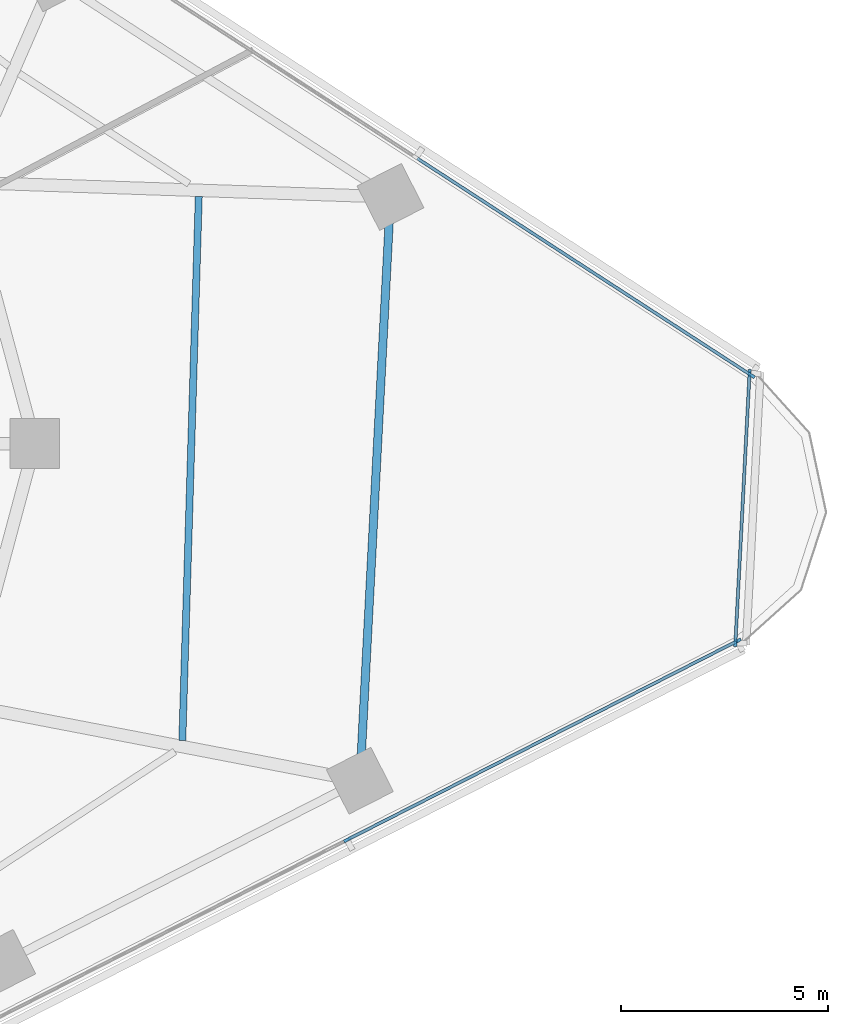
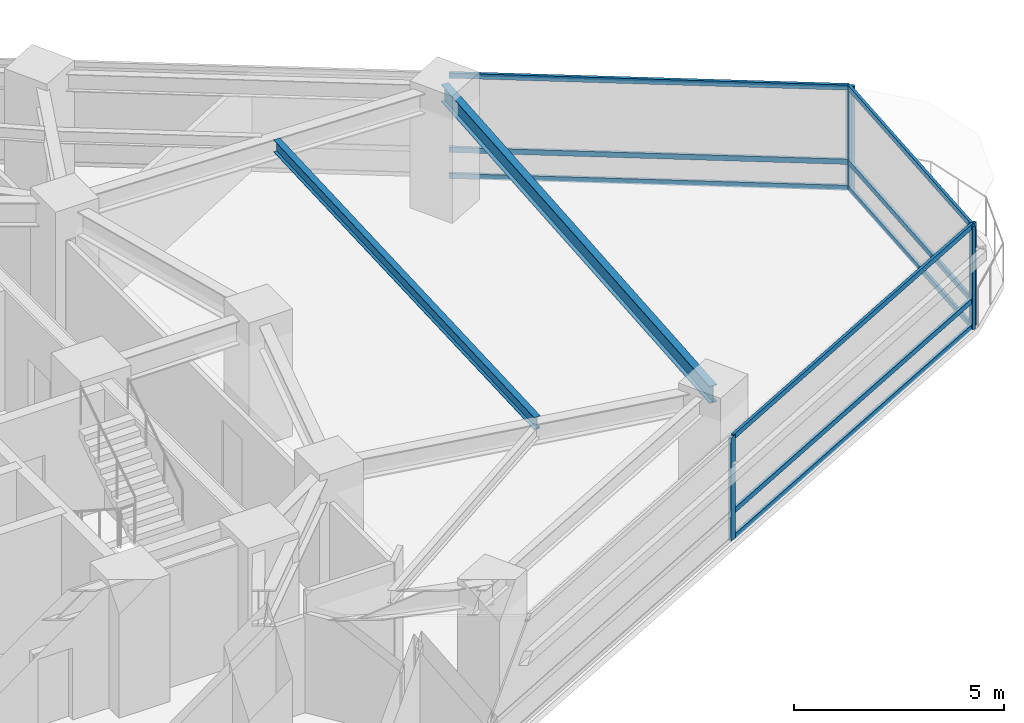
# One storey, part 4 of 14: 14 members, 2 beams, 3 elements without a shape of their own.
"""IFC4 building model written with IfcOpenShell, lengths in metres."""

from ifc_helpers import new_model, si_unit, direction, frame, origin, origin_2d, place, context, subcontext, project, spatial, rectangle, i_section, extrude, material, layer, layer_set, material_profile, profile_set, type_object, element, aggregate, save


model = new_model("IFC4")

# Units and contexts
model_context = context("Model", 3, precision=1e-05, world=origin(), true_north=direction((0.0, 1.0)))
body_context = subcontext(model_context, "Body", "Model", "MODEL_VIEW")
ifc_project = project(units=[si_unit("LENGTHUNIT", "METRE"), si_unit("AREAUNIT", "SQUARE_METRE"), si_unit("VOLUMEUNIT", "CUBIC_METRE"), si_unit("PLANEANGLEUNIT", "RADIAN"), si_unit("MASSUNIT", "GRAM", prefix="KILO")], contexts=[model_context])

# Site, building, storey
site_placement = place(None, origin())
site = spatial("IfcSite", under=ifc_project, at=site_placement, CompositionType="ELEMENT")
building_placement = place(site_placement, origin())
building = spatial("IfcBuilding", under=site, at=building_placement, Name="Terralouvre Media Tower", CompositionType="ELEMENT")
storey_placement = place(building_placement, frame((0.0, 0.0, 131.0)))
storey = spatial("IfcBuildingStorey", under=building, at=storey_placement, Name="L33", CompositionType="ELEMENT", Elevation=131.0)

# Beam
ifc_material_1 = material(Name="Structural steel S355J2", Category="steel")
ifc_material_profile_1 = material_profile(ifc_material_1, i_section(OverallWidth=0.169921875, OverallDepth=0.360107421875, WebThickness=0.008056640625, FlangeThickness=0.0126953125, at=origin_2d()), Name="IPE 360")
ifc_profile_set_1 = profile_set([ifc_material_profile_1], Name="Structural steel S355J2")
beam_type_1 = type_object("IfcBeamType", Name="Composite Floor Joist J-IPE360 (IPE 360)", PredefinedType="JOIST", material=ifc_profile_set_1)
beam_1_placement = place(storey_placement, frame((16.156005859375, -7.156005859375, 3.320068359375), z_axis=(0.030223204966, 0.999543174596, 0.0), x_axis=(-0.999543174596, 0.030223204966, 0.0)))
element("IfcBeam", 1, at=beam_1_placement, inside=storey, type_object=beam_type_1, Name="L33 Framing Beam JT-L33-06", PredefinedType="JOIST", context=body_context, shape_type="SweptSolid", body=[
    extrude(i_section(OverallWidth=0.169921875, OverallDepth=0.360107421875, WebThickness=0.008056640625, FlangeThickness=0.0126953125, at=origin_2d()), origin(), (0.0, 0.0, 1.0), 13.11865234375),
])

# Curtain wall, members
ifc_material_2 = material(Name="Low-iron laminated double glazing with solar-control coating", Category="glass")
ifc_layer_1 = layer(ifc_material_2, 0.1650390625, Name="Production Studio Tower Curtain Wall CW-03")
ifc_layer_set_1 = layer_set([ifc_layer_1], Name="Low-iron laminated double glazing with solar-control coating")
curtain_wall_type_1 = type_object("IfcCurtainWallType", Name="Production Studio Tower Curtain Wall CW-03", PredefinedType="NOTDEFINED", material=ifc_layer_set_1)
curtain_wall_1_placement = place(storey_placement, origin())
curtain_wall_1 = element("IfcCurtainWall", 2, at=curtain_wall_1_placement, inside=storey, type_object=curtain_wall_type_1, Name="L33 Right Flank Curtain Wall F0", PredefinedType="NOTDEFINED")
ifc_material_3 = material(Name="Anodised extruded aluminium 6063-T6", Category="aluminium")
ifc_material_profile_2 = material_profile(ifc_material_3, rectangle(XDim=0.074951171875, YDim=0.14990234375, at=origin_2d()), Name="ALU 75x150")
ifc_profile_set_2 = profile_set([ifc_material_profile_2], Name="Anodised extruded aluminium 6063-T6")
member_type_1 = type_object("IfcMemberType", Name="Curtain-Wall Horizontal Transom TR-150", PredefinedType="USERDEFINED", material=ifc_profile_set_2)
member_1_placement = place(storey_placement, frame((20.164794921875, -9.53662109375, 0.03759765625), z_axis=(0.89100733947, 0.453988899656, 0.0), x_axis=(-0.453988899656, 0.89100733947, 0.0)))
member_1 = element("IfcMember", 3, at=member_1_placement, type_object=member_type_1, Name="CW-03 transom 2.1", ObjectType="TRANSOM", PredefinedType="USERDEFINED", context=body_context, shape_type="SweptSolid", body=[
    extrude(rectangle(XDim=0.074951171875, YDim=0.14990234375, at=origin_2d()), origin(), (0.0, 0.0, 1.0), 10.487548828125),
])
member_2_placement = place(storey_placement, frame((20.164794921875, -9.53662109375, 0.800048828125), z_axis=(0.89100733947, 0.453988899656, 0.0), x_axis=(-0.453988899656, 0.89100733947, 0.0)))
member_2 = element("IfcMember", 4, at=member_2_placement, type_object=member_type_1, Name="CW-03 transom 2.2", ObjectType="TRANSOM", PredefinedType="USERDEFINED", context=body_context, shape_type="SweptSolid", body=[
    extrude(rectangle(XDim=0.074951171875, YDim=0.14990234375, at=origin_2d()), origin(), (0.0, 0.0, 1.0), 10.487548828125),
])
member_3_placement = place(storey_placement, frame((20.164794921875, -9.53662109375, 2.96240234375), z_axis=(0.89100733947, 0.453988899656, 0.0), x_axis=(-0.453988899656, 0.89100733947, 0.0)))
member_3 = element("IfcMember", 5, at=member_3_placement, type_object=member_type_1, Name="CW-03 transom 2.3", ObjectType="TRANSOM", PredefinedType="USERDEFINED", context=body_context, shape_type="SweptSolid", body=[
    extrude(rectangle(XDim=0.074951171875, YDim=0.14990234375, at=origin_2d()), origin(), (0.0, 0.0, 1.0), 10.487548828125),
])

curtain_wall_2_placement = place(storey_placement, origin())
curtain_wall_2 = element("IfcCurtainWall", 6, at=curtain_wall_2_placement, inside=storey, type_object=curtain_wall_type_1, Name="L33 Facade Curtain Wall F1", PredefinedType="NOTDEFINED")
member_4_placement = place(storey_placement, frame((29.846923828125, 1.664794921875, 0.03759765625), z_axis=(-0.838683148474, 0.544619662211, 0.0), x_axis=(-0.544619662211, -0.838683148474, 0.0)))
member_4 = element("IfcMember", 7, at=member_4_placement, type_object=member_type_1, Name="CW-03 transom 1.1", ObjectType="TRANSOM", PredefinedType="USERDEFINED", context=body_context, shape_type="SweptSolid", body=[
    extrude(rectangle(XDim=0.074951171875, YDim=0.14990234375, at=origin_2d()), origin(), (0.0, 0.0, 1.0), 9.567626953125),
])
member_5_placement = place(storey_placement, frame((29.846923828125, 1.664794921875, 0.800048828125), z_axis=(-0.838683148474, 0.544619662211, 0.0), x_axis=(-0.544619662211, -0.838683148474, 0.0)))
member_5 = element("IfcMember", 8, at=member_5_placement, type_object=member_type_1, Name="CW-03 transom 1.2", ObjectType="TRANSOM", PredefinedType="USERDEFINED", context=body_context, shape_type="SweptSolid", body=[
    extrude(rectangle(XDim=0.074951171875, YDim=0.14990234375, at=origin_2d()), origin(), (0.0, 0.0, 1.0), 9.567626953125),
])
member_6_placement = place(storey_placement, frame((29.846923828125, 1.664794921875, 2.96240234375), z_axis=(-0.838683148474, 0.544619662211, 0.0), x_axis=(-0.544619662211, -0.838683148474, 0.0)))
member_6 = element("IfcMember", 9, at=member_6_placement, type_object=member_type_1, Name="CW-03 transom 1.3", ObjectType="TRANSOM", PredefinedType="USERDEFINED", context=body_context, shape_type="SweptSolid", body=[
    extrude(rectangle(XDim=0.074951171875, YDim=0.14990234375, at=origin_2d()), origin(), (0.0, 0.0, 1.0), 9.567626953125),
])

ifc_material_4 = material(Name="Low-iron laminated double glazing with solar-control coating", Category="glass")
ifc_layer_2 = layer(ifc_material_4, 0.1650390625, Name="Rounded Wind-Corner Curved Glazing CW-04")
ifc_layer_set_2 = layer_set([ifc_layer_2], Name="Low-iron laminated double glazing with solar-control coating")
curtain_wall_type_2 = type_object("IfcCurtainWallType", Name="Rounded Wind-Corner Curved Glazing CW-04", PredefinedType="NOTDEFINED", material=ifc_layer_set_2)
curtain_wall_3_placement = place(storey_placement, origin())
curtain_wall_3 = element("IfcCurtainWall", 10, at=curtain_wall_3_placement, inside=storey, type_object=curtain_wall_type_2, Name="L33 Rounded Wind-Corner Curtain Wall C1", PredefinedType="NOTDEFINED")
member_7_placement = place(storey_placement, frame((29.49462890625, -4.76611328125, 0.03759765625), z_axis=(0.052343668365, 0.998629130549, 0.0), x_axis=(-0.998629130549, 0.052343668365, 0.0)))
member_7 = element("IfcMember", 11, at=member_7_placement, type_object=member_type_1, Name="CW-04 transom 1.1", ObjectType="TRANSOM", PredefinedType="USERDEFINED", context=body_context, shape_type="SweptSolid", body=[
    extrude(rectangle(XDim=0.074951171875, YDim=0.14990234375, at=origin_2d()), origin(), (0.0, 0.0, 1.0), 6.431884765625),
])
member_8_placement = place(storey_placement, frame((29.49462890625, -4.76611328125, 0.800048828125), z_axis=(0.052343668365, 0.998629130549, 0.0), x_axis=(-0.998629130549, 0.052343668365, 0.0)))
member_8 = element("IfcMember", 12, at=member_8_placement, type_object=member_type_1, Name="CW-04 transom 1.2", ObjectType="TRANSOM", PredefinedType="USERDEFINED", context=body_context, shape_type="SweptSolid", body=[
    extrude(rectangle(XDim=0.074951171875, YDim=0.14990234375, at=origin_2d()), origin(), (0.0, 0.0, 1.0), 6.431884765625),
])
member_9_placement = place(storey_placement, frame((29.49462890625, -4.76611328125, 2.96240234375), z_axis=(0.052343668365, 0.998629130549, 0.0), x_axis=(-0.998629130549, 0.052343668365, 0.0)))
member_9 = element("IfcMember", 13, at=member_9_placement, type_object=member_type_1, Name="CW-04 transom 1.3", ObjectType="TRANSOM", PredefinedType="USERDEFINED", context=body_context, shape_type="SweptSolid", body=[
    extrude(rectangle(XDim=0.074951171875, YDim=0.14990234375, at=origin_2d()), origin(), (0.0, 0.0, 1.0), 6.431884765625),
])

# Member
ifc_material_5 = material(Name="Anodised extruded aluminium 6063-T6", Category="aluminium")
ifc_material_profile_3 = material_profile(ifc_material_5, rectangle(XDim=0.074951171875, YDim=0.179931640625, at=origin_2d()), Name="ALU 75x180")
ifc_profile_set_3 = profile_set([ifc_material_profile_3], Name="Anodised extruded aluminium 6063-T6")
member_type_2 = type_object("IfcMemberType", Name="Curtain-Wall Vertical Mullion ML-180", PredefinedType="MULLION", material=ifc_profile_set_3)
member_10_placement = place(storey_placement, frame((20.131591796875, -9.5537109375, 0.0), z_axis=(0.0, 0.0, 1.0), x_axis=(-0.453991276263, 0.89100612853, 0.0)))
member_10 = element("IfcMember", 14, at=member_10_placement, type_object=member_type_2, Name="CW-03 mullion 2", PredefinedType="MULLION", context=body_context, shape_type="SweptSolid", body=[
    extrude(rectangle(XDim=0.074951171875, YDim=0.179931640625, at=origin_2d()), origin(), (0.0, 0.0, 1.0), 3.0),
])

member_11_placement = place(storey_placement, frame((29.542724609375, -4.75830078125, 0.0), z_axis=(0.0, 0.0, 1.0), x_axis=(-0.453991276263, 0.89100612853, 0.0)))
member_11 = element("IfcMember", 15, at=member_11_placement, type_object=member_type_2, Name="CW-03 mullion 3", PredefinedType="MULLION", context=body_context, shape_type="SweptSolid", body=[
    extrude(rectangle(XDim=0.074951171875, YDim=0.179931640625, at=origin_2d()), origin(), (0.0, 0.0, 1.0), 3.0),
])

aggregate(curtain_wall_1, [member_10, member_11, member_1, member_2, member_3])

member_12_placement = place(storey_placement, frame((29.878173828125, 1.644287109375, 0.0), z_axis=(0.0, 0.0, 1.0), x_axis=(-0.544639002681, -0.838670588944, 0.0)))
member_12 = element("IfcMember", 16, at=member_12_placement, type_object=member_type_2, Name="CW-03 mullion 1", PredefinedType="MULLION", context=body_context, shape_type="SweptSolid", body=[
    extrude(rectangle(XDim=0.074951171875, YDim=0.179931640625, at=origin_2d()), origin(), (0.0, 0.0, 1.0), 3.0),
])

aggregate(curtain_wall_2, [member_12, member_4, member_5, member_6])

member_13_placement = place(storey_placement, frame((29.49267578125, -4.803466796875, 0.0), z_axis=(0.0, 0.0, 1.0), x_axis=(-0.998629489329, 0.052336823006, 0.0)))
member_13 = element("IfcMember", 17, at=member_13_placement, type_object=member_type_2, Name="CW-04 mullion 1", PredefinedType="MULLION", context=body_context, shape_type="SweptSolid", body=[
    extrude(rectangle(XDim=0.074951171875, YDim=0.179931640625, at=origin_2d()), origin(), (0.0, 0.0, 1.0), 3.0),
])

member_14_placement = place(storey_placement, frame((29.833251953125, 1.6943359375, 0.0), z_axis=(0.0, 0.0, 1.0), x_axis=(-0.998629489329, 0.052336823006, 0.0)))
member_14 = element("IfcMember", 18, at=member_14_placement, type_object=member_type_2, Name="CW-04 mullion 2", PredefinedType="MULLION", context=body_context, shape_type="SweptSolid", body=[
    extrude(rectangle(XDim=0.074951171875, YDim=0.179931640625, at=origin_2d()), origin(), (0.0, 0.0, 1.0), 3.0),
])

aggregate(curtain_wall_3, [member_13, member_14, member_7, member_8, member_9])

# Beam
ifc_material_6 = material(Name="Structural steel S355J2", Category="steel")
ifc_material_profile_4 = material_profile(ifc_material_6, i_section(OverallWidth=0.199951171875, OverallDepth=0.5, WebThickness=0.01025390625, FlangeThickness=0.01611328125, at=origin_2d()), Name="IPE 500")
ifc_profile_set_4 = profile_set([ifc_material_profile_4], Name="Structural steel S355J2")
beam_type_2 = type_object("IfcBeamType", Name="Perimeter Spandrel Beam SPB-500 (IPE 500)", PredefinedType="SPANDREL", material=ifc_profile_set_4)
beam_2_placement = place(storey_placement, frame((20.438232421875, -8.129150390625, 3.25), z_axis=(0.052337943139, 0.998629430624, 0.0), x_axis=(-0.998629430624, 0.052337943139, 0.0)))
element("IfcBeam", 19, at=beam_2_placement, inside=storey, type_object=beam_type_2, Name="L33 Framing Beam BM-L33-PR06", PredefinedType="SPANDREL", context=body_context, shape_type="SweptSolid", body=[
    extrude(i_section(OverallWidth=0.199951171875, OverallDepth=0.5, WebThickness=0.01025390625, FlangeThickness=0.01611328125, at=origin_2d()), origin(), (0.0, 0.0, 1.0), 14.0966796875),
])

save(model, "model.ifc")
